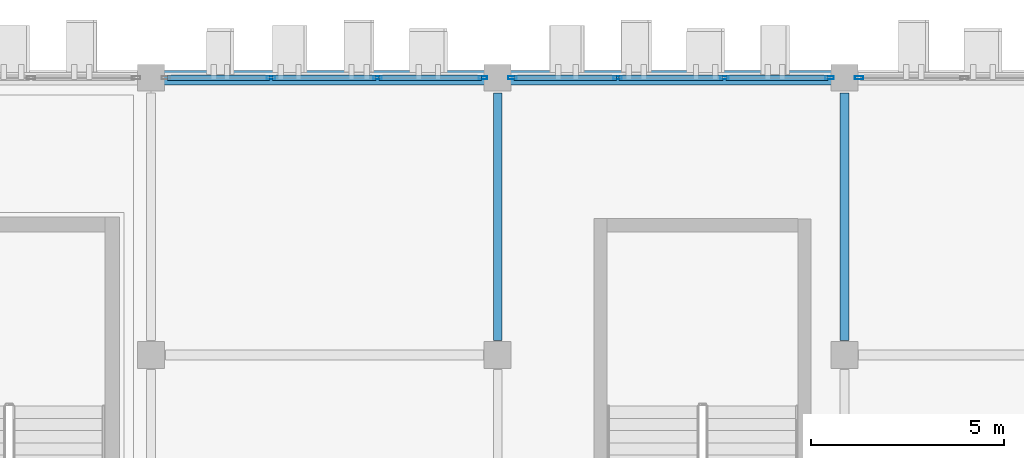
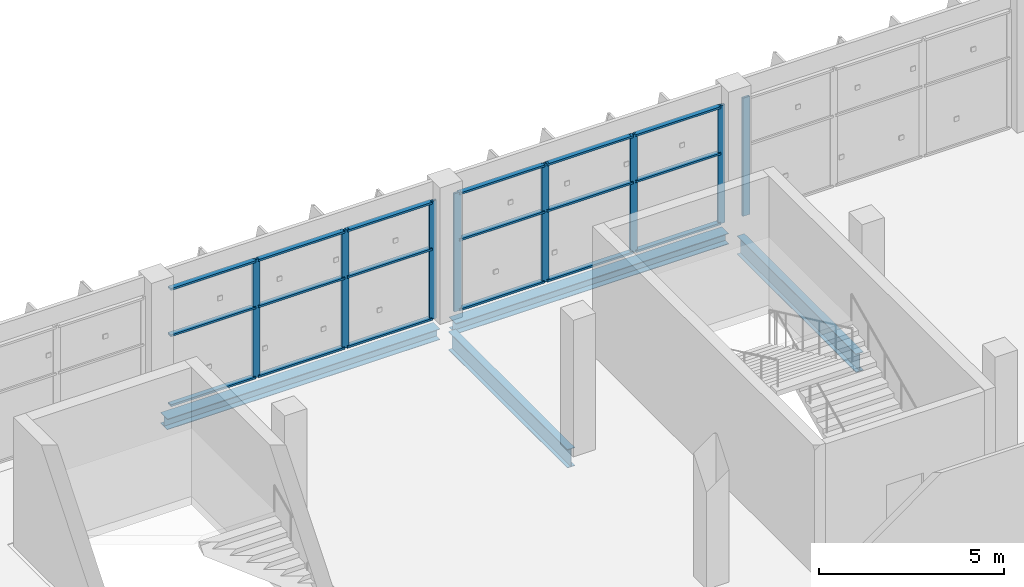
# One storey, part 76 of 151: 26 members, 4 beams, 3 elements without a shape of their own.
"""IFC4 building model written with IfcOpenShell, lengths in metres."""

import ifcopenshell
import ifcopenshell.guid

model = None  # the IFC model being written
_history = None  # IfcOwnerHistory: only IFC2X3 demands one
_inside = {}  # id of a spatial element -> (the spatial element, [elements in it])
_under = {}  # id of a project, library or spatial element -> (it, [spatial elements below it])
_declared = {}  # id of a project -> (the project, [libraries it declares])
_typed = {}  # id of a type object -> (the type object, [elements of that type])
_made_of = {}  # id of a material, layer set ... -> (it, [elements and type objects made of it])


def new_model(schema):
    """Start an empty IFC model of exactly this schema.

    Asked for "IFC4X3", IfcOpenShell would pick the latest addendum, in which some entities
    have other attributes; the version numbers below select the first issue.
    IFC2X3 requires an IfcOwnerHistory on every rooted entity: one is made here for all.
    """
    global model, _history
    if schema == "IFC4X3":
        model = ifcopenshell.file(schema_version=(4, 3, 0, 0))
    else:
        model = ifcopenshell.file(schema=schema)
    _inside.clear()
    _under.clear()
    _declared.clear()
    _typed.clear()
    _made_of.clear()
    _history = None
    if model.schema == "IFC2X3":
        org = make("IfcOrganization", Name="unknown")
        user = make(
            "IfcPersonAndOrganization",
            ThePerson=make("IfcPerson", FamilyName="unknown"),
            TheOrganization=org,
        )
        app = make(
            "IfcApplication",
            ApplicationDeveloper=org,
            Version="unknown",
            ApplicationFullName="unknown",
            ApplicationIdentifier="unknown",
        )
        _history = make(
            "IfcOwnerHistory",
            OwningUser=user,
            OwningApplication=app,
            ChangeAction="ADDED",
            CreationDate=0,
        )
    return model


def make(cls, **values):
    """One entity of the class cls with the attributes given. An attribute that is None is left unset."""
    return model.create_entity(
        cls, **{name: value for name, value in values.items() if value is not None}
    )


def rooted(cls, **values):
    """An entity with a GlobalId (a new one), such as an element, a storey or a relation."""
    return make(cls, GlobalId=ifcopenshell.guid.new(), OwnerHistory=_history, **values)


def si_unit(unit_type, name, prefix=None):
    """IfcSIUnit, for example si_unit("LENGTHUNIT", "METRE", prefix="MILLI")."""
    return make("IfcSIUnit", UnitType=unit_type, Prefix=prefix, Name=name)


def assignment(units):
    """IfcUnitAssignment: the units of a project."""
    return None if units is None else make("IfcUnitAssignment", Units=units)


def point(xyz):
    """IfcCartesianPoint."""
    return None if xyz is None else make("IfcCartesianPoint", Coordinates=xyz)


def direction(xyz):
    """IfcDirection."""
    return None if xyz is None else make("IfcDirection", DirectionRatios=xyz)


def frame(location, z_axis=None, x_axis=None):
    """IfcAxis2Placement3D, a coordinate frame: its origin and axes. An axis left out is left unset."""
    return make(
        "IfcAxis2Placement3D",
        Location=point(location),
        Axis=direction(z_axis),
        RefDirection=direction(x_axis),
    )


def frame_2d(location, x_axis=None):
    """IfcAxis2Placement2D, a coordinate frame in the plane: its origin and x axis."""
    return make(
        "IfcAxis2Placement2D", Location=point(location), RefDirection=direction(x_axis)
    )


def origin():
    """The frame at (0, 0, 0) with its axes left unset."""
    return frame((0.0, 0.0, 0.0))


def origin_2d():
    """The frame at (0, 0) in the plane with its x axis left unset."""
    return frame_2d((0.0, 0.0))


def place(relative_to, where):
    """IfcLocalPlacement: puts the frame where relative to a parent placement (None: the world)."""
    return make(
        "IfcLocalPlacement", PlacementRelTo=relative_to, RelativePlacement=where
    )


def context(
    kind, dimensions, precision=None, world=None, true_north=None, identifier=None
):
    """IfcGeometricRepresentationContext, for example the 3D "Model" context."""
    return make(
        "IfcGeometricRepresentationContext",
        ContextIdentifier=identifier,
        ContextType=kind,
        CoordinateSpaceDimension=dimensions,
        Precision=precision,
        WorldCoordinateSystem=world,
        TrueNorth=true_north,
    )


def subcontext(parent, identifier, kind, view, scale=None):
    """IfcGeometricRepresentationSubContext, for example "Body" below "Model"."""
    return make(
        "IfcGeometricRepresentationSubContext",
        ContextIdentifier=identifier,
        ContextType=kind,
        ParentContext=parent,
        TargetScale=scale,
        TargetView=view,
    )


def project(units=None, contexts=None):
    """IfcProject with its units and contexts."""
    return rooted(
        "IfcProject",
        Name="project",
        RepresentationContexts=contexts,
        UnitsInContext=assignment(units),
    )


def spatial(cls, under=None, at=None, **own):
    """A site, building, storey or space (cls), placed at a placement, below another one or the project."""
    s = rooted(cls, ObjectPlacement=at, **own)
    if under is not None:
        _under.setdefault(under.id(), (under, []))[1].append(s)
    return s


def profile(cls, at=None, kind="AREA", **sizes):
    """A parametric profile (cls). Its sizes go by their IFC names, for example OverallWidth=200.0."""
    return make(cls, ProfileType=kind, Position=at, **sizes)


def hollow_rectangle(**sizes):
    """IfcRectangleHollowProfileDef."""
    return profile("IfcRectangleHollowProfileDef", **sizes)


def i_section(**sizes):
    """IfcIShapeProfileDef."""
    return profile("IfcIShapeProfileDef", **sizes)


def extrude(swept, where, along, depth):
    """IfcExtrudedAreaSolid: the profile swept, set in the frame where, extruded along a direction by depth."""
    return make(
        "IfcExtrudedAreaSolid",
        SweptArea=swept,
        Position=where,
        ExtrudedDirection=direction(along),
        Depth=depth,
    )


def shape(context_of_items, identifier, shape_type, items):
    """IfcShapeRepresentation: the items that make up one representation, for example the "Body"."""
    return make(
        "IfcShapeRepresentation",
        ContextOfItems=context_of_items,
        RepresentationIdentifier=identifier,
        RepresentationType=shape_type,
        Items=items,
    )


def material(Name=None, Category=None):
    """IfcMaterial."""
    return make("IfcMaterial", Name=Name, Category=Category)


def layer(
    of_material, thickness, ventilated=None, Name=None, Category=None, Priority=None
):
    """IfcMaterialLayer: one layer of a wall or slab, of a material (None: an air gap)."""
    return make(
        "IfcMaterialLayer",
        Material=of_material,
        LayerThickness=thickness,
        IsVentilated=ventilated,
        Name=Name,
        Category=Category,
        Priority=Priority,
    )


def layer_set(layers, Name=None):
    """IfcMaterialLayerSet."""
    return make("IfcMaterialLayerSet", MaterialLayers=layers, LayerSetName=Name)


def material_profile(
    of_material, cross_section, Name=None, Category=None, Priority=None
):
    """IfcMaterialProfile: a cross section and its material."""
    return make(
        "IfcMaterialProfile",
        Name=Name,
        Material=of_material,
        Profile=cross_section,
        Priority=Priority,
        Category=Category,
    )


def profile_set(profiles, Name=None, composite=None):
    """IfcMaterialProfileSet."""
    return make(
        "IfcMaterialProfileSet",
        Name=Name,
        MaterialProfiles=profiles,
        CompositeProfile=composite,
    )


def made_of(thing, what):
    """Note that an element or type object is made of a material, layer set ...; save() writes the relation."""
    if what is not None:
        _made_of.setdefault(what.id(), (what, []))[1].append(thing)
    return thing


def type_object(cls, material=None, **own):
    """A type object (cls), such as IfcWallType, which elements share."""
    return made_of(rooted(cls, **own), material)


def element(
    cls,
    number,
    at=None,
    inside=None,
    cuts=None,
    type_object=None,
    material=None,
    context=None,
    identifier="Body",
    shape_type=None,
    held_by="IfcProductDefinitionShape",
    body=None,
    shapes=None,
    **own,
):
    """One element of the class cls, such as IfcWall. Its Tag is "e" and its number.

    at: its placement. inside: the storey or other place that contains it. cuts: it is an
    opening in that element (IfcRelVoidsElement). A single representation is given by context,
    identifier, shape_type and body (its items); several are given by shapes. held_by: the class
    of the entity that holds the representations. save() writes the other relations.
    """
    e = rooted(cls, Tag="e%d" % number, ObjectPlacement=at, **own)
    if body is not None:
        shapes = [shape(context, identifier, shape_type, body)]
    if shapes is not None:
        e.Representation = make(held_by, Representations=shapes)
    if inside is not None:
        _inside.setdefault(inside.id(), (inside, []))[1].append(e)
    if cuts is not None:
        rooted(
            "IfcRelVoidsElement", RelatingBuildingElement=cuts, RelatedOpeningElement=e
        )
    if type_object is not None:
        _typed.setdefault(type_object.id(), (type_object, []))[1].append(e)
    return made_of(e, material)


def aggregate(whole, parts):
    """IfcRelAggregates: a whole, such as a stair, and the parts it consists of."""
    return rooted("IfcRelAggregates", RelatingObject=whole, RelatedObjects=parts)


def save(model, path):
    """Write the relations noted so far, then the file.

    IfcRelAggregates (storeys below a building ...), IfcRelContainedInSpatialStructure (elements
    in a storey), IfcRelDefinesByType, IfcRelAssociatesMaterial and IfcRelDeclares: one each for
    every whole, place, type object, material and project.
    """
    for whole, parts in _under.values():
        aggregate(whole, parts)
    for where, things in _inside.values():
        rooted(
            "IfcRelContainedInSpatialStructure",
            RelatedElements=things,
            RelatingStructure=where,
        )
    for kind, things in _typed.values():
        rooted("IfcRelDefinesByType", RelatedObjects=things, RelatingType=kind)
    for what, things in _made_of.values():
        rooted("IfcRelAssociatesMaterial", RelatedObjects=things, RelatingMaterial=what)
    for by, libraries in _declared.values():
        rooted("IfcRelDeclares", RelatingContext=by, RelatedDefinitions=libraries)
    model.write(path)


model = new_model("IFC4")

# Units and contexts
model_context = context("Model", 3, precision=1e-05, world=origin(), true_north=direction((0.0, 1.0)))
body_context = subcontext(model_context, "Body", "Model", "MODEL_VIEW")
ifc_project = project(units=[si_unit("LENGTHUNIT", "METRE"), si_unit("AREAUNIT", "SQUARE_METRE"), si_unit("VOLUMEUNIT", "CUBIC_METRE"), si_unit("PLANEANGLEUNIT", "RADIAN"), si_unit("MASSUNIT", "GRAM", prefix="KILO")], contexts=[model_context])

# Site, building, storey
site_placement = place(None, origin())
site = spatial("IfcSite", under=ifc_project, at=site_placement, CompositionType="ELEMENT")
building_placement = place(site_placement, origin())
building = spatial("IfcBuilding", under=site, at=building_placement, Name="Celestram Park Convention Centre", CompositionType="ELEMENT")
storey_placement = place(building_placement, frame((0.0, 0.0, 10.800048828125)))
storey = spatial("IfcBuildingStorey", under=building, at=storey_placement, Name="L02", CompositionType="ELEMENT", Elevation=10.800048828125)

# Curtain wall, members
ifc_material_1 = material(Name="Anodised Aluminium Alloy 6063-T6", Category="aluminium")
ifc_layer = layer(ifc_material_1, 0.179931640625)
ifc_layer_set = layer_set([ifc_layer], Name="Anodised Aluminium Alloy 6063-T6")
curtain_wall_type = type_object("IfcCurtainWallType", Name="ARC-CW-830X389", PredefinedType="NOTDEFINED", material=ifc_layer_set)
curtain_wall_1_placement = place(storey_placement, origin())
curtain_wall_1 = element("IfcCurtainWall", 1, at=curtain_wall_1_placement, inside=storey, type_object=curtain_wall_type, Name="Unitised curtain wall CU-L02-157", PredefinedType="NOTDEFINED")
ifc_material_profile_1 = material_profile(ifc_material_1, hollow_rectangle(XDim=0.074951171875, YDim=0.219970703125, WallThickness=0.00390625, at=origin_2d()), Name="ALU75X220X4")
ifc_profile_set_1 = profile_set([ifc_material_profile_1], Name="Anodised Aluminium Alloy 6063-T6")
member_type_1 = type_object("IfcMemberType", Name="ARC-CWM-180", PredefinedType="MULLION", material=ifc_profile_set_1)
member_1_placement = place(storey_placement, frame((102.115966796875, 165.60009765625, 0.0), z_axis=(0.0, 0.0, 1.0), x_axis=(0.0, 1.0, 0.0)))
member_1 = element("IfcMember", 2, at=member_1_placement, type_object=member_type_1, Name="CW-83X38 mullion 2", PredefinedType="MULLION", context=body_context, shape_type="SweptSolid", body=[
    extrude(hollow_rectangle(XDim=0.074951171875, YDim=0.219970703125, WallThickness=0.00390625, at=origin_2d()), origin(), (0.0, 0.0, 1.0), 3.89404296875),
])
member_2_placement = place(storey_placement, frame((104.884033203125, 165.60009765625, 0.0), z_axis=(0.0, 0.0, 1.0), x_axis=(0.0, 1.0, 0.0)))
member_2 = element("IfcMember", 3, at=member_2_placement, type_object=member_type_1, Name="CW-83X38 mullion 3", PredefinedType="MULLION", context=body_context, shape_type="SweptSolid", body=[
    extrude(hollow_rectangle(XDim=0.074951171875, YDim=0.219970703125, WallThickness=0.00390625, at=origin_2d()), origin(), (0.0, 0.0, 1.0), 3.89404296875),
])
member_3_placement = place(storey_placement, frame((107.614501953125, 165.60009765625, 0.0), z_axis=(0.0, 0.0, 1.0), x_axis=(0.0, 1.0, 0.0)))
member_3 = element("IfcMember", 4, at=member_3_placement, type_object=member_type_1, Name="CW-83X38 mullion 4", PredefinedType="MULLION", context=body_context, shape_type="SweptSolid", body=[
    extrude(hollow_rectangle(XDim=0.074951171875, YDim=0.219970703125, WallThickness=0.00390625, at=origin_2d()), origin(), (0.0, 0.0, 1.0), 3.89404296875),
])

curtain_wall_2_placement = place(storey_placement, origin())
curtain_wall_2 = element("IfcCurtainWall", 5, at=curtain_wall_2_placement, inside=storey, type_object=curtain_wall_type, Name="Unitised curtain wall CU-L02-158", PredefinedType="NOTDEFINED")
member_4_placement = place(storey_placement, frame((108.385498046875, 165.60009765625, 0.0), z_axis=(0.0, 0.0, 1.0), x_axis=(0.0, 1.0, 0.0)))
member_4 = element("IfcMember", 6, at=member_4_placement, type_object=member_type_1, Name="CW-83X38 mullion 1", PredefinedType="MULLION", context=body_context, shape_type="SweptSolid", body=[
    extrude(hollow_rectangle(XDim=0.074951171875, YDim=0.219970703125, WallThickness=0.00390625, at=origin_2d()), origin(), (0.0, 0.0, 1.0), 3.89404296875),
])
member_5_placement = place(storey_placement, frame((111.115966796875, 165.60009765625, 0.0), z_axis=(0.0, 0.0, 1.0), x_axis=(0.0, 1.0, 0.0)))
member_5 = element("IfcMember", 7, at=member_5_placement, type_object=member_type_1, Name="CW-83X38 mullion 2", PredefinedType="MULLION", context=body_context, shape_type="SweptSolid", body=[
    extrude(hollow_rectangle(XDim=0.074951171875, YDim=0.219970703125, WallThickness=0.00390625, at=origin_2d()), origin(), (0.0, 0.0, 1.0), 3.89404296875),
])
member_6_placement = place(storey_placement, frame((113.884033203125, 165.60009765625, 0.0), z_axis=(0.0, 0.0, 1.0), x_axis=(0.0, 1.0, 0.0)))
member_6 = element("IfcMember", 8, at=member_6_placement, type_object=member_type_1, Name="CW-83X38 mullion 3", PredefinedType="MULLION", context=body_context, shape_type="SweptSolid", body=[
    extrude(hollow_rectangle(XDim=0.074951171875, YDim=0.219970703125, WallThickness=0.00390625, at=origin_2d()), origin(), (0.0, 0.0, 1.0), 3.89404296875),
])
member_7_placement = place(storey_placement, frame((116.614501953125, 165.60009765625, 0.0), z_axis=(0.0, 0.0, 1.0), x_axis=(0.0, 1.0, 0.0)))
member_7 = element("IfcMember", 9, at=member_7_placement, type_object=member_type_1, Name="CW-83X38 mullion 4", PredefinedType="MULLION", context=body_context, shape_type="SweptSolid", body=[
    extrude(hollow_rectangle(XDim=0.074951171875, YDim=0.219970703125, WallThickness=0.00390625, at=origin_2d()), origin(), (0.0, 0.0, 1.0), 3.89404296875),
])

# Curtain wall, member
curtain_wall_3_placement = place(storey_placement, origin())
curtain_wall_3 = element("IfcCurtainWall", 10, at=curtain_wall_3_placement, inside=storey, type_object=curtain_wall_type, Name="Unitised curtain wall CU-L02-159", PredefinedType="NOTDEFINED")
member_8_placement = place(storey_placement, frame((117.385498046875, 165.60009765625, 0.0), z_axis=(0.0, 0.0, 1.0), x_axis=(0.0, 1.0, 0.0)))
member_8 = element("IfcMember", 11, at=member_8_placement, type_object=member_type_1, Name="CW-83X38 mullion 1", PredefinedType="MULLION", context=body_context, shape_type="SweptSolid", body=[
    extrude(hollow_rectangle(XDim=0.074951171875, YDim=0.219970703125, WallThickness=0.00390625, at=origin_2d()), origin(), (0.0, 0.0, 1.0), 3.89404296875),
])
aggregate(curtain_wall_3, [member_8])

# Member
ifc_material_profile_2 = material_profile(ifc_material_1, hollow_rectangle(XDim=0.14990234375, YDim=0.06494140625, WallThickness=0.0029296875, at=origin_2d()), Name="ALU150X65X3")
ifc_profile_set_2 = profile_set([ifc_material_profile_2], Name="Anodised Aluminium Alloy 6063-T6")
member_type_2 = type_object("IfcMemberType", Name="ARC-CWT-150", PredefinedType="USERDEFINED", material=ifc_profile_set_2)
member_9_placement = place(storey_placement, frame((99.423095703125, 165.60009765625, 0.032470703125), z_axis=(1.0, 0.0, 0.0), x_axis=(0.0, 1.0, 0.0)))
member_9 = element("IfcMember", 12, at=member_9_placement, type_object=member_type_2, Name="CW-83X38 transom 1.1", ObjectType="TRANSOM", PredefinedType="USERDEFINED", context=body_context, shape_type="SweptSolid", body=[
    extrude(hollow_rectangle(XDim=0.14990234375, YDim=0.06494140625, WallThickness=0.0029296875, at=origin_2d()), origin(), (0.0, 0.0, 1.0), 2.655517578125),
])

member_10_placement = place(storey_placement, frame((99.423095703125, 165.60009765625, 2.3359375), z_axis=(1.0, 0.0, 0.0), x_axis=(0.0, 1.0, 0.0)))
member_10 = element("IfcMember", 13, at=member_10_placement, type_object=member_type_2, Name="CW-83X38 transom 1.2", ObjectType="TRANSOM", PredefinedType="USERDEFINED", context=body_context, shape_type="SweptSolid", body=[
    extrude(hollow_rectangle(XDim=0.14990234375, YDim=0.06494140625, WallThickness=0.0029296875, at=origin_2d()), origin(), (0.0, 0.0, 1.0), 2.655517578125),
])

member_11_placement = place(storey_placement, frame((99.423095703125, 165.60009765625, 3.861572265625), z_axis=(1.0, 0.0, 0.0), x_axis=(0.0, 1.0, 0.0)))
member_11 = element("IfcMember", 14, at=member_11_placement, type_object=member_type_2, Name="CW-83X38 transom 1.3", ObjectType="TRANSOM", PredefinedType="USERDEFINED", context=body_context, shape_type="SweptSolid", body=[
    extrude(hollow_rectangle(XDim=0.14990234375, YDim=0.06494140625, WallThickness=0.0029296875, at=origin_2d()), origin(), (0.0, 0.0, 1.0), 2.655517578125),
])

member_12_placement = place(storey_placement, frame((102.153564453125, 165.60009765625, 0.032470703125), z_axis=(1.0, 0.0, 0.0), x_axis=(0.0, 1.0, 0.0)))
member_12 = element("IfcMember", 15, at=member_12_placement, type_object=member_type_2, Name="CW-83X38 transom 2.1", ObjectType="TRANSOM", PredefinedType="USERDEFINED", context=body_context, shape_type="SweptSolid", body=[
    extrude(hollow_rectangle(XDim=0.14990234375, YDim=0.06494140625, WallThickness=0.0029296875, at=origin_2d()), origin(), (0.0, 0.0, 1.0), 2.69287109375),
])

member_13_placement = place(storey_placement, frame((102.153564453125, 165.60009765625, 2.3359375), z_axis=(1.0, 0.0, 0.0), x_axis=(0.0, 1.0, 0.0)))
member_13 = element("IfcMember", 16, at=member_13_placement, type_object=member_type_2, Name="CW-83X38 transom 2.2", ObjectType="TRANSOM", PredefinedType="USERDEFINED", context=body_context, shape_type="SweptSolid", body=[
    extrude(hollow_rectangle(XDim=0.14990234375, YDim=0.06494140625, WallThickness=0.0029296875, at=origin_2d()), origin(), (0.0, 0.0, 1.0), 2.69287109375),
])

member_14_placement = place(storey_placement, frame((102.153564453125, 165.60009765625, 3.861572265625), z_axis=(1.0, 0.0, 0.0), x_axis=(0.0, 1.0, 0.0)))
member_14 = element("IfcMember", 17, at=member_14_placement, type_object=member_type_2, Name="CW-83X38 transom 2.3", ObjectType="TRANSOM", PredefinedType="USERDEFINED", context=body_context, shape_type="SweptSolid", body=[
    extrude(hollow_rectangle(XDim=0.14990234375, YDim=0.06494140625, WallThickness=0.0029296875, at=origin_2d()), origin(), (0.0, 0.0, 1.0), 2.69287109375),
])

member_15_placement = place(storey_placement, frame((104.92138671875, 165.60009765625, 0.032470703125), z_axis=(1.0, 0.0, 0.0), x_axis=(0.0, 1.0, 0.0)))
member_15 = element("IfcMember", 18, at=member_15_placement, type_object=member_type_2, Name="CW-83X38 transom 3.1", ObjectType="TRANSOM", PredefinedType="USERDEFINED", context=body_context, shape_type="SweptSolid", body=[
    extrude(hollow_rectangle(XDim=0.14990234375, YDim=0.06494140625, WallThickness=0.0029296875, at=origin_2d()), origin(), (0.0, 0.0, 1.0), 2.655517578125),
])

member_16_placement = place(storey_placement, frame((104.92138671875, 165.60009765625, 2.3359375), z_axis=(1.0, 0.0, 0.0), x_axis=(0.0, 1.0, 0.0)))
member_16 = element("IfcMember", 19, at=member_16_placement, type_object=member_type_2, Name="CW-83X38 transom 3.2", ObjectType="TRANSOM", PredefinedType="USERDEFINED", context=body_context, shape_type="SweptSolid", body=[
    extrude(hollow_rectangle(XDim=0.14990234375, YDim=0.06494140625, WallThickness=0.0029296875, at=origin_2d()), origin(), (0.0, 0.0, 1.0), 2.655517578125),
])

member_17_placement = place(storey_placement, frame((104.92138671875, 165.60009765625, 3.861572265625), z_axis=(1.0, 0.0, 0.0), x_axis=(0.0, 1.0, 0.0)))
member_17 = element("IfcMember", 20, at=member_17_placement, type_object=member_type_2, Name="CW-83X38 transom 3.3", ObjectType="TRANSOM", PredefinedType="USERDEFINED", context=body_context, shape_type="SweptSolid", body=[
    extrude(hollow_rectangle(XDim=0.14990234375, YDim=0.06494140625, WallThickness=0.0029296875, at=origin_2d()), origin(), (0.0, 0.0, 1.0), 2.655517578125),
])

aggregate(curtain_wall_1, [member_1, member_2, member_3, member_9, member_10, member_11, member_12, member_13, member_14, member_15, member_16, member_17])

member_18_placement = place(storey_placement, frame((108.423095703125, 165.60009765625, 0.032470703125), z_axis=(1.0, 0.0, 0.0), x_axis=(0.0, 1.0, 0.0)))
member_18 = element("IfcMember", 21, at=member_18_placement, type_object=member_type_2, Name="CW-83X38 transom 1.1", ObjectType="TRANSOM", PredefinedType="USERDEFINED", context=body_context, shape_type="SweptSolid", body=[
    extrude(hollow_rectangle(XDim=0.14990234375, YDim=0.06494140625, WallThickness=0.0029296875, at=origin_2d()), origin(), (0.0, 0.0, 1.0), 2.655517578125),
])

member_19_placement = place(storey_placement, frame((108.423095703125, 165.60009765625, 2.3359375), z_axis=(1.0, 0.0, 0.0), x_axis=(0.0, 1.0, 0.0)))
member_19 = element("IfcMember", 22, at=member_19_placement, type_object=member_type_2, Name="CW-83X38 transom 1.2", ObjectType="TRANSOM", PredefinedType="USERDEFINED", context=body_context, shape_type="SweptSolid", body=[
    extrude(hollow_rectangle(XDim=0.14990234375, YDim=0.06494140625, WallThickness=0.0029296875, at=origin_2d()), origin(), (0.0, 0.0, 1.0), 2.655517578125),
])

member_20_placement = place(storey_placement, frame((108.423095703125, 165.60009765625, 3.861572265625), z_axis=(1.0, 0.0, 0.0), x_axis=(0.0, 1.0, 0.0)))
member_20 = element("IfcMember", 23, at=member_20_placement, type_object=member_type_2, Name="CW-83X38 transom 1.3", ObjectType="TRANSOM", PredefinedType="USERDEFINED", context=body_context, shape_type="SweptSolid", body=[
    extrude(hollow_rectangle(XDim=0.14990234375, YDim=0.06494140625, WallThickness=0.0029296875, at=origin_2d()), origin(), (0.0, 0.0, 1.0), 2.655517578125),
])

member_21_placement = place(storey_placement, frame((111.153564453125, 165.60009765625, 0.032470703125), z_axis=(1.0, 0.0, 0.0), x_axis=(0.0, 1.0, 0.0)))
member_21 = element("IfcMember", 24, at=member_21_placement, type_object=member_type_2, Name="CW-83X38 transom 2.1", ObjectType="TRANSOM", PredefinedType="USERDEFINED", context=body_context, shape_type="SweptSolid", body=[
    extrude(hollow_rectangle(XDim=0.14990234375, YDim=0.06494140625, WallThickness=0.0029296875, at=origin_2d()), origin(), (0.0, 0.0, 1.0), 2.69287109375),
])

member_22_placement = place(storey_placement, frame((111.153564453125, 165.60009765625, 2.3359375), z_axis=(1.0, 0.0, 0.0), x_axis=(0.0, 1.0, 0.0)))
member_22 = element("IfcMember", 25, at=member_22_placement, type_object=member_type_2, Name="CW-83X38 transom 2.2", ObjectType="TRANSOM", PredefinedType="USERDEFINED", context=body_context, shape_type="SweptSolid", body=[
    extrude(hollow_rectangle(XDim=0.14990234375, YDim=0.06494140625, WallThickness=0.0029296875, at=origin_2d()), origin(), (0.0, 0.0, 1.0), 2.69287109375),
])

member_23_placement = place(storey_placement, frame((111.153564453125, 165.60009765625, 3.861572265625), z_axis=(1.0, 0.0, 0.0), x_axis=(0.0, 1.0, 0.0)))
member_23 = element("IfcMember", 26, at=member_23_placement, type_object=member_type_2, Name="CW-83X38 transom 2.3", ObjectType="TRANSOM", PredefinedType="USERDEFINED", context=body_context, shape_type="SweptSolid", body=[
    extrude(hollow_rectangle(XDim=0.14990234375, YDim=0.06494140625, WallThickness=0.0029296875, at=origin_2d()), origin(), (0.0, 0.0, 1.0), 2.69287109375),
])

member_24_placement = place(storey_placement, frame((113.92138671875, 165.60009765625, 0.032470703125), z_axis=(1.0, 0.0, 0.0), x_axis=(0.0, 1.0, 0.0)))
member_24 = element("IfcMember", 27, at=member_24_placement, type_object=member_type_2, Name="CW-83X38 transom 3.1", ObjectType="TRANSOM", PredefinedType="USERDEFINED", context=body_context, shape_type="SweptSolid", body=[
    extrude(hollow_rectangle(XDim=0.14990234375, YDim=0.06494140625, WallThickness=0.0029296875, at=origin_2d()), origin(), (0.0, 0.0, 1.0), 2.655517578125),
])

member_25_placement = place(storey_placement, frame((113.92138671875, 165.60009765625, 2.3359375), z_axis=(1.0, 0.0, 0.0), x_axis=(0.0, 1.0, 0.0)))
member_25 = element("IfcMember", 28, at=member_25_placement, type_object=member_type_2, Name="CW-83X38 transom 3.2", ObjectType="TRANSOM", PredefinedType="USERDEFINED", context=body_context, shape_type="SweptSolid", body=[
    extrude(hollow_rectangle(XDim=0.14990234375, YDim=0.06494140625, WallThickness=0.0029296875, at=origin_2d()), origin(), (0.0, 0.0, 1.0), 2.655517578125),
])

member_26_placement = place(storey_placement, frame((113.92138671875, 165.60009765625, 3.861572265625), z_axis=(1.0, 0.0, 0.0), x_axis=(0.0, 1.0, 0.0)))
member_26 = element("IfcMember", 29, at=member_26_placement, type_object=member_type_2, Name="CW-83X38 transom 3.3", ObjectType="TRANSOM", PredefinedType="USERDEFINED", context=body_context, shape_type="SweptSolid", body=[
    extrude(hollow_rectangle(XDim=0.14990234375, YDim=0.06494140625, WallThickness=0.0029296875, at=origin_2d()), origin(), (0.0, 0.0, 1.0), 2.655517578125),
])

aggregate(curtain_wall_2, [member_4, member_5, member_6, member_7, member_18, member_19, member_20, member_21, member_22, member_23, member_24, member_25, member_26])

# Beams
ifc_material_2 = material(Name="Steel ASTM A992 Grade 50", Category="steel")
ifc_material_profile_3 = material_profile(ifc_material_2, i_section(OverallWidth=0.22900390625, OverallDepth=0.612060546875, WebThickness=0.011962890625, FlangeThickness=0.01953125, at=origin_2d()), Name="W24X84")
ifc_profile_set_3 = profile_set([ifc_material_profile_3], Name="Steel ASTM A992 Grade 50")
beam_type_1 = type_object("IfcBeamType", Name="STR-BM-W24X84", PredefinedType="BEAM", material=ifc_profile_set_3)
for number, where, z_axis, x_axis, name in (
    (30, (108.0, 158.77294921875, -0.5859375), (0.0, 1.0, 0.0), (-1.0, 0.0, 0.0), "Primary Y-girder BG-L02-0138"),
    (31, (117.0, 158.77294921875, -0.5859375), (0.0, 1.0, 0.0), (-1.0, 0.0, 0.0), "Primary Y-girder BG-L02-0154"),
):
    element("IfcBeam", number, at=place(storey_placement, frame(where, z_axis=z_axis, x_axis=x_axis)), inside=storey, type_object=beam_type_1, Name=name, PredefinedType="BEAM", context=body_context, shape_type="SweptSolid", body=[
        extrude(i_section(OverallWidth=0.22900390625, OverallDepth=0.612060546875, WebThickness=0.011962890625, FlangeThickness=0.01953125, at=origin_2d()), origin(), (0.0, 0.0, 1.0), 6.428955078125),
    ])
ifc_material_profile_4 = material_profile(ifc_material_2, i_section(OverallWidth=0.367919921875, OverallDepth=0.35595703125, WebThickness=0.01123046875, FlangeThickness=0.01806640625, at=origin_2d()), Name="W14X90")
ifc_profile_set_4 = profile_set([ifc_material_profile_4], Name="Steel ASTM A992 Grade 50")
beam_type_2 = type_object("IfcBeamType", Name="STR-SPN-W14X90", PredefinedType="SPANDREL", material=ifc_profile_set_4)
for number, where, z_axis, x_axis, name in (
    (32, (99.248046875, 165.60009765625, -0.4580078125), (1.0, 0.0, 0.0), (0.0, 1.0, 0.0), "Primary X-girder BG-L02-0125"),
    (33, (108.248046875, 165.60009765625, -0.4580078125), (1.0, 0.0, 0.0), (0.0, 1.0, 0.0), "Primary X-girder BG-L02-0139"),
):
    element("IfcBeam", number, at=place(storey_placement, frame(where, z_axis=z_axis, x_axis=x_axis)), inside=storey, type_object=beam_type_2, Name=name, PredefinedType="SPANDREL", context=body_context, shape_type="SweptSolid", body=[
        extrude(i_section(OverallWidth=0.367919921875, OverallDepth=0.35595703125, WebThickness=0.01123046875, FlangeThickness=0.01806640625, at=origin_2d()), origin(), (0.0, 0.0, 1.0), 8.50390625),
    ])

save(model, "model.ifc")
